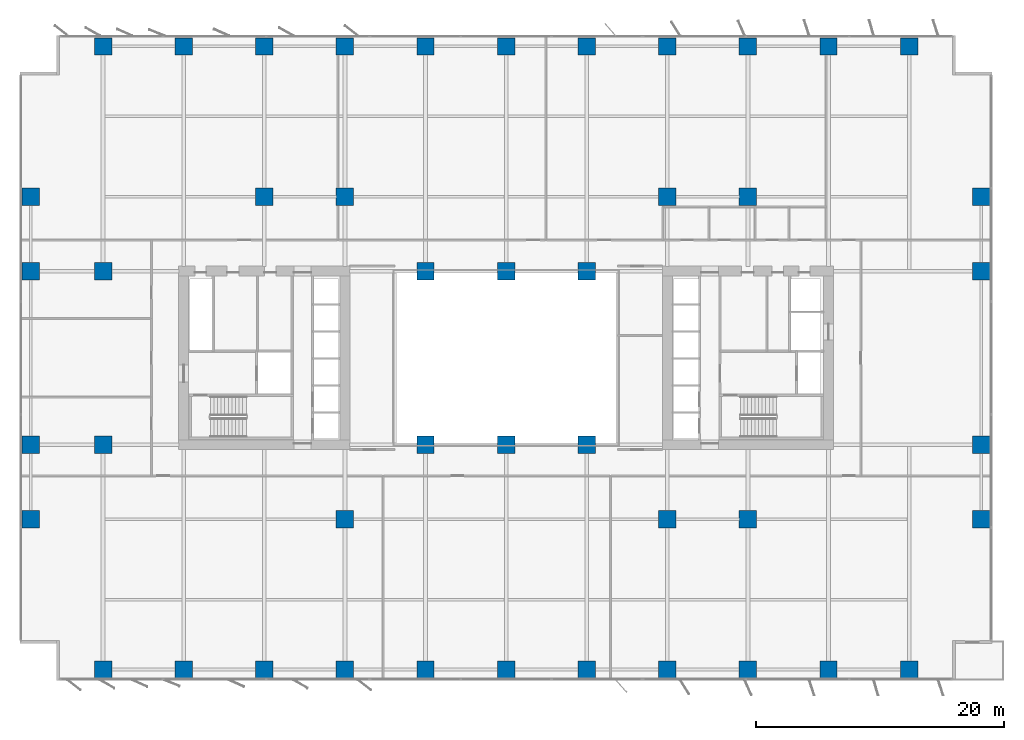
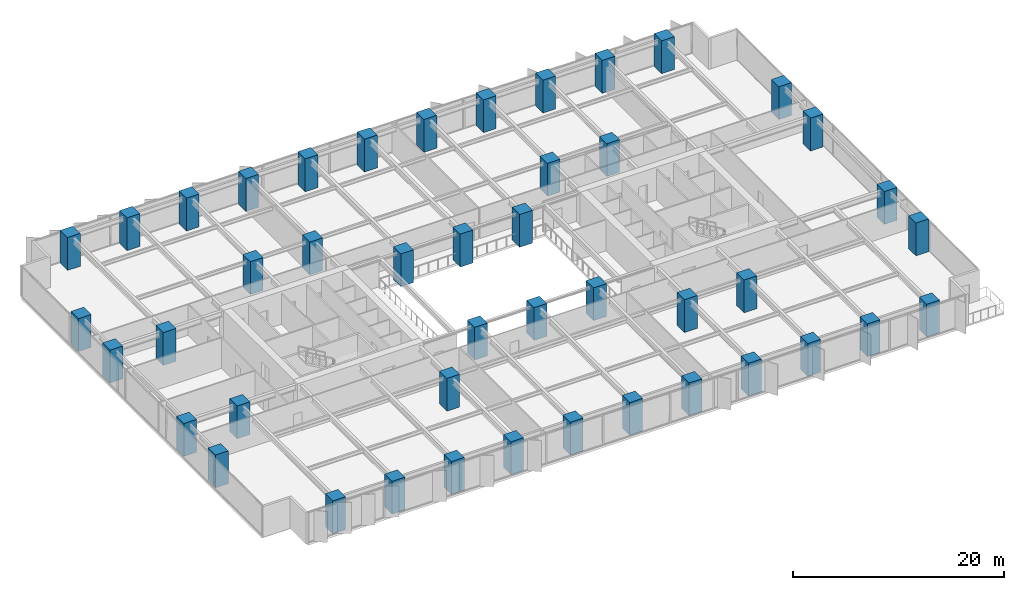
# One storey, part 1 of 20: 45 columns.
"""IFC4 building model written with IfcOpenShell, lengths in metres."""

from ifc_helpers import new_model, si_unit, direction, frame, origin, origin_2d, place, context, subcontext, project, spatial, rectangle, extrude, material, material_profile, profile_set, type_object, element, save


model = new_model("IFC4")

# Units and contexts
model_context = context("Model", 3, precision=1e-05, world=origin(), true_north=direction((0.0, 1.0)))
body_context = subcontext(model_context, "Body", "Model", "MODEL_VIEW")
ifc_project = project(units=[si_unit("LENGTHUNIT", "METRE"), si_unit("AREAUNIT", "SQUARE_METRE"), si_unit("VOLUMEUNIT", "CUBIC_METRE"), si_unit("PLANEANGLEUNIT", "RADIAN"), si_unit("MASSUNIT", "GRAM", prefix="KILO")], contexts=[model_context])

# Site, building, storey
site_placement = place(None, origin())
site = spatial("IfcSite", under=ifc_project, at=site_placement, CompositionType="ELEMENT")
building_placement = place(site_placement, origin())
building = spatial("IfcBuilding", under=site, at=building_placement, Name="Putna Gate Headquarters", CompositionType="ELEMENT")
storey_placement = place(building_placement, frame((0.0, 0.0, 54.39990234375)))
storey = spatial("IfcBuildingStorey", under=building, at=storey_placement, Name="L12", CompositionType="ELEMENT", Elevation=54.39990234375)

# Columns
ifc_material = material(Name="Concrete C60/75", Category="concrete")
ifc_material_profile_1 = material_profile(ifc_material, rectangle(XDim=1.39990234375, YDim=1.39990234375, at=origin_2d()), Name="Concrete C60/75")
ifc_profile_set_1 = profile_set([ifc_material_profile_1], Name="Concrete C60/75")
column_type_1 = type_object("IfcColumnType", Name="COL-RC1400-EXT", PredefinedType="COLUMN", material=ifc_profile_set_1)
for number, where, z_axis, x_axis, name in (
    (1, (6.5, 0.8798828125, 0.0), (0.0, 0.0, 1.0), (1.0, 0.0, 0.0), "L12 Column CP-S6"),
    (2, (6.5, 51.1201171875, 0.0), (0.0, 0.0, 1.0), (1.0, 0.0, 0.0), "L12 Column CP-N6"),
    (3, (13.0, 0.8798828125, 0.0), (0.0, 0.0, 1.0), (1.0, 0.0, 0.0), "L12 Column CP-S13"),
    (4, (13.0, 51.1201171875, 0.0), (0.0, 0.0, 1.0), (1.0, 0.0, 0.0), "L12 Column CP-N13"),
    (5, (19.5, 0.8798828125, 0.0), (0.0, 0.0, 1.0), (1.0, 0.0, 0.0), "L12 Column CP-S19"),
    (6, (19.5, 51.1201171875, 0.0), (0.0, 0.0, 1.0), (1.0, 0.0, 0.0), "L12 Column CP-N19"),
    (7, (26.0, 0.8798828125, 0.0), (0.0, 0.0, 1.0), (1.0, 0.0, 0.0), "L12 Column CP-S26"),
    (8, (26.0, 51.1201171875, 0.0), (0.0, 0.0, 1.0), (1.0, 0.0, 0.0), "L12 Column CP-N26"),
    (9, (32.5, 0.8798828125, 0.0), (0.0, 0.0, 1.0), (1.0, 0.0, 0.0), "L12 Column CP-S32"),
    (10, (32.5, 51.1201171875, 0.0), (0.0, 0.0, 1.0), (1.0, 0.0, 0.0), "L12 Column CP-N32"),
    (11, (39.0, 0.8798828125, 0.0), (0.0, 0.0, 1.0), (1.0, 0.0, 0.0), "L12 Column CP-S39"),
    (12, (39.0, 51.1201171875, 0.0), (0.0, 0.0, 1.0), (1.0, 0.0, 0.0), "L12 Column CP-N39"),
    (13, (45.5, 0.8798828125, 0.0), (0.0, 0.0, 1.0), (1.0, 0.0, 0.0), "L12 Column CP-S45"),
    (14, (45.5, 51.1201171875, 0.0), (0.0, 0.0, 1.0), (1.0, 0.0, 0.0), "L12 Column CP-N45"),
    (15, (52.0, 0.8798828125, 0.0), (0.0, 0.0, 1.0), (1.0, 0.0, 0.0), "L12 Column CP-S52"),
    (16, (52.0, 51.1201171875, 0.0), (0.0, 0.0, 1.0), (1.0, 0.0, 0.0), "L12 Column CP-N52"),
    (17, (58.5, 0.8798828125, 0.0), (0.0, 0.0, 1.0), (1.0, 0.0, 0.0), "L12 Column CP-S58"),
    (18, (58.5, 51.1201171875, 0.0), (0.0, 0.0, 1.0), (1.0, 0.0, 0.0), "L12 Column CP-N58"),
    (19, (65.0, 0.8798828125, 0.0), (0.0, 0.0, 1.0), (1.0, 0.0, 0.0), "L12 Column CP-S65"),
    (20, (65.0, 51.1201171875, 0.0), (0.0, 0.0, 1.0), (1.0, 0.0, 0.0), "L12 Column CP-N65"),
    (21, (71.5, 0.8798828125, 0.0), (0.0, 0.0, 1.0), (1.0, 0.0, 0.0), "L12 Column CP-S71"),
    (22, (71.5, 51.1201171875, 0.0), (0.0, 0.0, 1.0), (1.0, 0.0, 0.0), "L12 Column CP-N71"),
    (23, (0.679931640625, 13.0, 0.0), (0.0, 0.0, 1.0), (1.0, 0.0, 0.0), "L12 Column CP-W13"),
    (24, (77.320068359375, 13.0, 0.0), (0.0, 0.0, 1.0), (1.0, 0.0, 0.0), "L12 Column CP-E13"),
    (25, (0.679931640625, 19.0, 0.0), (0.0, 0.0, 1.0), (1.0, 0.0, 0.0), "L12 Column CP-W19"),
    (26, (77.320068359375, 19.0, 0.0), (0.0, 0.0, 1.0), (1.0, 0.0, 0.0), "L12 Column CP-E19"),
    (27, (0.679931640625, 33.0, 0.0), (0.0, 0.0, 1.0), (1.0, 0.0, 0.0), "L12 Column CP-W33"),
    (28, (77.320068359375, 33.0, 0.0), (0.0, 0.0, 1.0), (1.0, 0.0, 0.0), "L12 Column CP-E33"),
    (29, (0.679931640625, 39.0, 0.0), (0.0, 0.0, 1.0), (1.0, 0.0, 0.0), "L12 Column CP-W39"),
    (30, (77.320068359375, 39.0, 0.0), (0.0, 0.0, 1.0), (1.0, 0.0, 0.0), "L12 Column CP-E39"),
):
    element("IfcColumn", number, at=place(storey_placement, frame(where, z_axis=z_axis, x_axis=x_axis)), inside=storey, type_object=column_type_1, Name=name, PredefinedType="COLUMN", context=body_context, shape_type="SweptSolid", body=[
        extrude(rectangle(XDim=1.39990234375, YDim=1.39990234375, at=origin_2d()), origin(), (0.0, 0.0, 1.0), 3.800048828125),
    ])
ifc_material_profile_2 = material_profile(ifc_material, rectangle(XDim=1.39990234375, YDim=1.39990234375, at=origin_2d()), Name="Concrete C60/75")
ifc_profile_set_2 = profile_set([ifc_material_profile_2], Name="Concrete C60/75")
column_type_2 = type_object("IfcColumnType", Name="COL-RC1400-INT", PredefinedType="COLUMN", material=ifc_profile_set_2)
for number, where, z_axis, x_axis, name in (
    (31, (19.5, 39.0, 0.0), (0.0, 0.0, 1.0), (1.0, 0.0, 0.0), "L12 Column CSI-WN"),
    (32, (58.5, 13.0, 0.0), (0.0, 0.0, 1.0), (1.0, 0.0, 0.0), "L12 Column CSI-ES"),
    (33, (58.5, 39.0, 0.0), (0.0, 0.0, 1.0), (1.0, 0.0, 0.0), "L12 Column CSI-EN"),
    (34, (6.5, 19.0, 0.0), (0.0, 0.0, 1.0), (1.0, 0.0, 0.0), "L12 Column CSI-WM"),
    (35, (6.5, 33.0, 0.0), (0.0, 0.0, 1.0), (1.0, 0.0, 0.0), "L12 Column CSI-WNW"),
    (36, (32.5, 19.0, 0.0), (0.0, 0.0, 1.0), (1.0, 0.0, 0.0), "L12 Column CAI-S32"),
    (37, (32.5, 33.0, 0.0), (0.0, 0.0, 1.0), (1.0, 0.0, 0.0), "L12 Column CAI-N32"),
    (38, (39.0, 19.0, 0.0), (0.0, 0.0, 1.0), (1.0, 0.0, 0.0), "L12 Column CAI-S39"),
    (39, (39.0, 33.0, 0.0), (0.0, 0.0, 1.0), (1.0, 0.0, 0.0), "L12 Column CAI-N39"),
    (40, (45.5, 19.0, 0.0), (0.0, 0.0, 1.0), (1.0, 0.0, 0.0), "L12 Column CAI-S45"),
    (41, (45.5, 33.0, 0.0), (0.0, 0.0, 1.0), (1.0, 0.0, 0.0), "L12 Column CAI-N45"),
    (42, (26.0, 13.0, 0.0), (0.0, 0.0, 1.0), (1.0, 0.0, 0.0), "L12 Column CAP-WS"),
    (43, (26.0, 39.0, 0.0), (0.0, 0.0, 1.0), (1.0, 0.0, 0.0), "L12 Column CAP-WN"),
    (44, (52.0, 13.0, 0.0), (0.0, 0.0, 1.0), (1.0, 0.0, 0.0), "L12 Column CAP-ES"),
    (45, (52.0, 39.0, 0.0), (0.0, 0.0, 1.0), (1.0, 0.0, 0.0), "L12 Column CAP-EN"),
):
    element("IfcColumn", number, at=place(storey_placement, frame(where, z_axis=z_axis, x_axis=x_axis)), inside=storey, type_object=column_type_2, Name=name, PredefinedType="COLUMN", context=body_context, shape_type="SweptSolid", body=[
        extrude(rectangle(XDim=1.39990234375, YDim=1.39990234375, at=origin_2d()), origin(), (0.0, 0.0, 1.0), 3.800048828125),
    ])

save(model, "model.ifc")
